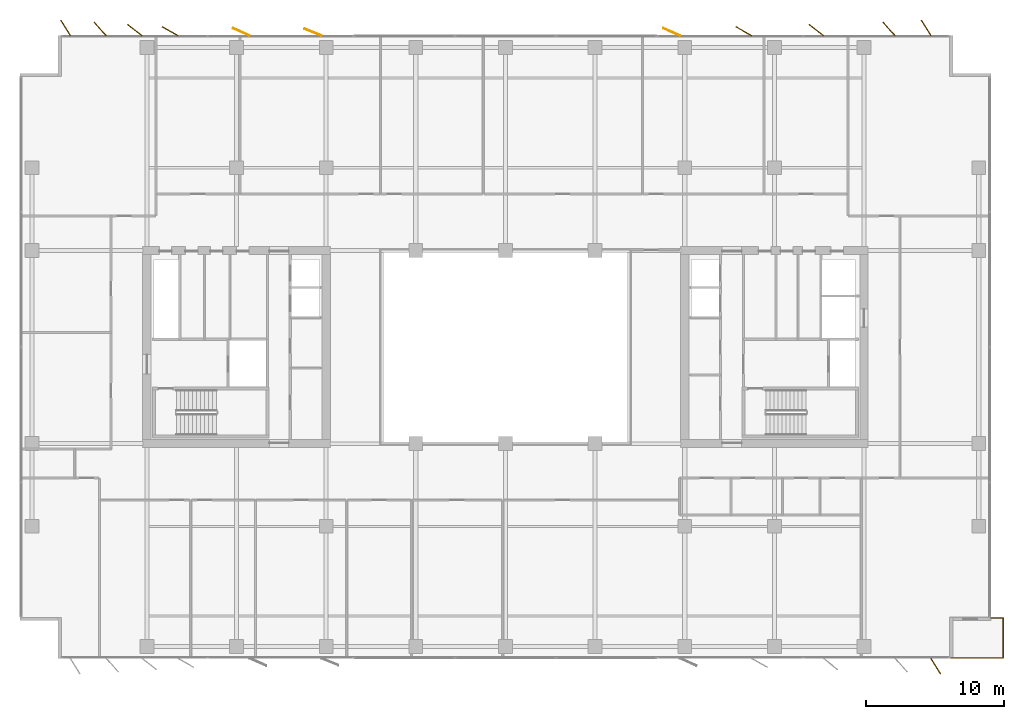
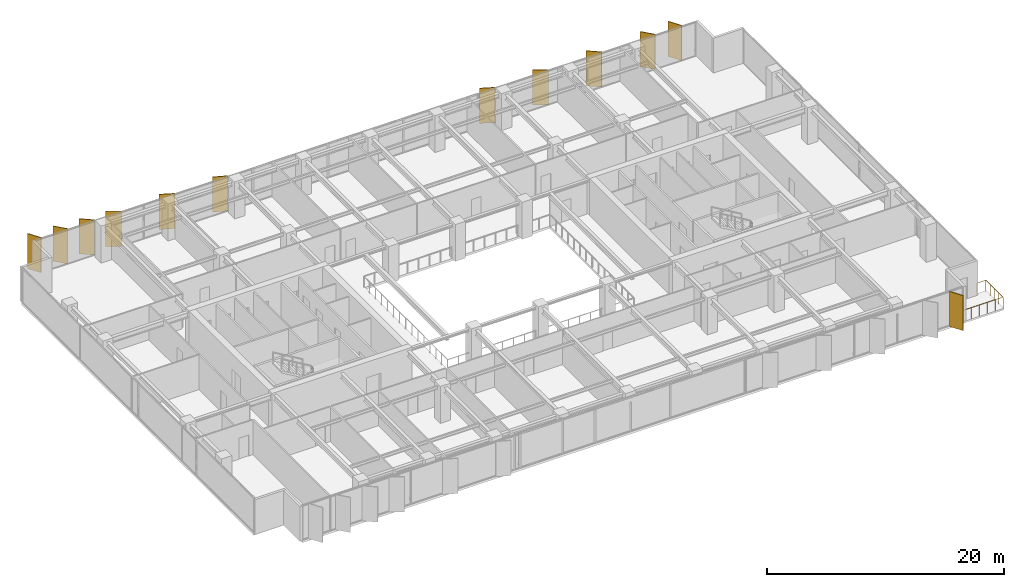
# One storey, part 22 of 22: 12 shading devices, 1 railing.
"""IFC4 building model written with IfcOpenShell, lengths in metres."""

from ifc_helpers import new_model, si_unit, direction, frame, origin, origin_2d, place, context, subcontext, project, spatial, rectangle, circle, extrude, material, layer, layer_set, type_object, element, save


model = new_model("IFC4")

# Units and contexts
model_context = context("Model", 3, precision=1e-05, world=origin(), true_north=direction((0.0, 1.0)))
body_context = subcontext(model_context, "Body", "Model", "MODEL_VIEW")
ifc_project = project(units=[si_unit("LENGTHUNIT", "METRE"), si_unit("AREAUNIT", "SQUARE_METRE"), si_unit("VOLUMEUNIT", "CUBIC_METRE"), si_unit("PLANEANGLEUNIT", "RADIAN"), si_unit("MASSUNIT", "GRAM", prefix="KILO")], contexts=[model_context])

# Site, building, storey
site_placement = place(None, origin())
site = spatial("IfcSite", under=ifc_project, at=site_placement, CompositionType="ELEMENT")
building_placement = place(site_placement, origin())
building = spatial("IfcBuilding", under=site, at=building_placement, Name="Putna Gate Headquarters", CompositionType="ELEMENT")
storey_placement = place(building_placement, frame((0.0, 0.0, 174.60009765625)))
storey = spatial("IfcBuildingStorey", under=building, at=storey_placement, Name="L43", CompositionType="ELEMENT", Elevation=174.60009765625)

# Railing
ifc_material_1 = material(Name="Anodised bronze steel and laminated glass guardrail", Category="steel")
railing_type = type_object("IfcRailingType", Name="RAIL-TERR-GUARD-1150", PredefinedType="GUARDRAIL", material=ifc_material_1)
railing_placement = place(storey_placement, frame((71.199951171875, 3.4599609375, 0.0)))
element("IfcRailing", 1, at=railing_placement, inside=storey, type_object=railing_type, Name="L43 Spiral Sky Terrace Guardrail SE", PredefinedType="GUARDRAIL", context=body_context, shape_type="SweptSolid", body=[
    extrude(circle(Radius=0.02392578125, at=origin_2d()), frame((0.0, 0.0, 1.1259765625), z_axis=(1.0, 0.0, 0.0), x_axis=(0.0, 1.0, 0.0)), (0.0, 0.0, 1.0), 3.89013671875),
    extrude(circle(Radius=0.02392578125, at=origin_2d()), frame((3.89013671875, 0.0, 1.1259765625), z_axis=(0.0, 1.0, 0.0), x_axis=(-1.0, 0.0, 0.0)), (0.0, 0.0, 1.0), 2.880126953125),
    extrude(circle(Radius=0.02392578125, at=origin_2d()), frame((3.89013671875, 2.880126953125, 1.1259765625), z_axis=(-1.0, 0.0, 0.0), x_axis=(0.0, -1.0, 0.0)), (0.0, 0.0, 1.0), 0.89013671875),
    extrude(circle(Radius=0.02099609375, at=origin_2d()), origin(), (0.0, 0.0, 1.0), 1.101806640625),
    extrude(circle(Radius=0.02099609375, at=origin_2d()), frame((0.778076171875, 0.0, 0.0)), (0.0, 0.0, 1.0), 1.101806640625),
    extrude(circle(Radius=0.02099609375, at=origin_2d()), frame((1.55615234375, 0.0, 0.0)), (0.0, 0.0, 1.0), 1.101806640625),
    extrude(circle(Radius=0.02099609375, at=origin_2d()), frame((2.333984375, 0.0, 0.0)), (0.0, 0.0, 1.0), 1.101806640625),
    extrude(circle(Radius=0.02099609375, at=origin_2d()), frame((3.112060546875, 0.0, 0.0)), (0.0, 0.0, 1.0), 1.101806640625),
    extrude(circle(Radius=0.02099609375, at=origin_2d()), frame((3.89013671875, 0.0, 0.0)), (0.0, 0.0, 1.0), 1.101806640625),
    extrude(circle(Radius=0.02099609375, at=origin_2d()), frame((3.89013671875, 0.719970703125, 0.0)), (0.0, 0.0, 1.0), 1.101806640625),
    extrude(circle(Radius=0.02099609375, at=origin_2d()), frame((3.89013671875, 1.43994140625, 0.0)), (0.0, 0.0, 1.0), 1.101806640625),
    extrude(circle(Radius=0.02099609375, at=origin_2d()), frame((3.89013671875, 2.16015625, 0.0)), (0.0, 0.0, 1.0), 1.101806640625),
    extrude(circle(Radius=0.02099609375, at=origin_2d()), frame((3.89013671875, 2.880126953125, 0.0)), (0.0, 0.0, 1.0), 1.101806640625),
    extrude(circle(Radius=0.02099609375, at=origin_2d()), frame((3.0, 2.880126953125, 0.0)), (0.0, 0.0, 1.0), 1.101806640625),
])

# Shading devices
ifc_material_2 = material(Name="Anodised architectural bronze aluminium fin", Category="aluminium")
ifc_layer = layer(ifc_material_2, 0.06494140625)
ifc_layer_set = layer_set([ifc_layer], Name="Anodised architectural bronze aluminium fin")
shading_device_type = type_object("IfcShadingDeviceType", Name="SHADE-BRONZE-FIN-1320", PredefinedType="USERDEFINED", material=ifc_layer_set)
for number, where, z_axis, x_axis, name in (
    (2, (7.099853515625, 49.134521484375, -0.02001953125), (0.0, 0.0, 1.0), (-0.530659123936, 0.847585331506, 0.0), "L43 Bronze Vertical Shading Fin N1"),
    (3, (9.6083984375, 49.0654296875, -0.02001953125), (0.0, 0.0, 1.0), (-0.669130606359, 0.743144825477, 0.0), "L43 Bronze Vertical Shading Fin N2"),
    (4, (12.13037109375, 48.981689453125, -0.02001953125), (0.0, 0.0, 1.0), (-0.787473187632, 0.616348909921, 0.0), "L43 Bronze Vertical Shading Fin N3"),
    (5, (14.67626953125, 48.901123046875, -0.02001953125), (0.0, 0.0, 1.0), (-0.869322458298, 0.494245347472, 0.0), "L43 Bronze Vertical Shading Fin N4"),
    (6, (19.846923828125, 48.84326171875, -0.02001953125), (0.0, 0.0, 1.0), (-0.913687379856, 0.40641773078, 0.0), "L43 Bronze Vertical Shading Fin N5"),
    (7, (25.0380859375, 48.822265625, -0.02001953125), (0.0, 0.0, 1.0), (-0.927183854567, 0.374606593416, 0.0), "L43 Bronze Vertical Shading Fin N6"),
    (8, (51.047119140625, 48.84326171875, -0.02001953125), (0.0, 0.0, 1.0), (-0.913687379856, 0.40641773078, 0.0), "L43 Bronze Vertical Shading Fin N7"),
    (9, (56.276123046875, 48.901123046875, -0.02001953125), (0.0, 0.0, 1.0), (-0.869322458298, 0.494245347472, 0.0), "L43 Bronze Vertical Shading Fin N8"),
    (10, (61.5302734375, 48.981689453125, -0.02001953125), (0.0, 0.0, 1.0), (-0.787473187632, 0.616348909921, 0.0), "L43 Bronze Vertical Shading Fin N9"),
    (11, (66.808349609375, 49.0654296875, -0.02001953125), (0.0, 0.0, 1.0), (-0.669130606359, 0.743144825477, 0.0), "L43 Bronze Vertical Shading Fin N10"),
    (12, (70.2001953125, 2.865478515625, -0.02001953125), (0.0, 0.0, 1.0), (0.530659123936, -0.847585331506, 0.0), "L43 Bronze Vertical Shading Fin S11"),
    (13, (69.499755859375, 49.134521484375, -0.02001953125), (0.0, 0.0, 1.0), (-0.530659123936, 0.847585331506, 0.0), "L43 Bronze Vertical Shading Fin N11"),
):
    element("IfcShadingDevice", number, at=place(storey_placement, frame(where, z_axis=z_axis, x_axis=x_axis)), inside=storey, type_object=shading_device_type, Name=name, ObjectType="FIN", PredefinedType="USERDEFINED", context=body_context, shape_type="SweptSolid", body=[
        extrude(rectangle(XDim=1.320068359375, YDim=0.06494140625, at=origin_2d()), origin(), (0.0, 0.0, 1.0), 3.612060546875),
    ])

save(model, "model.ifc")
